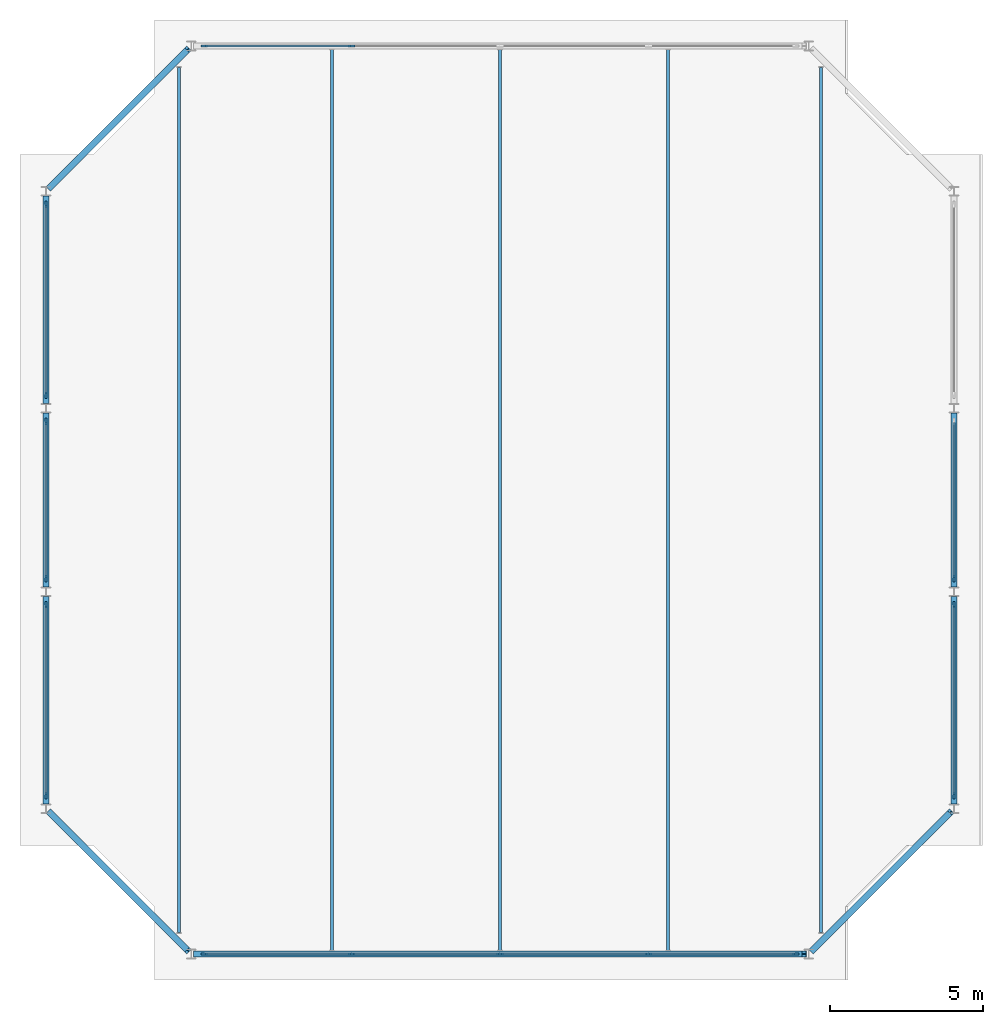
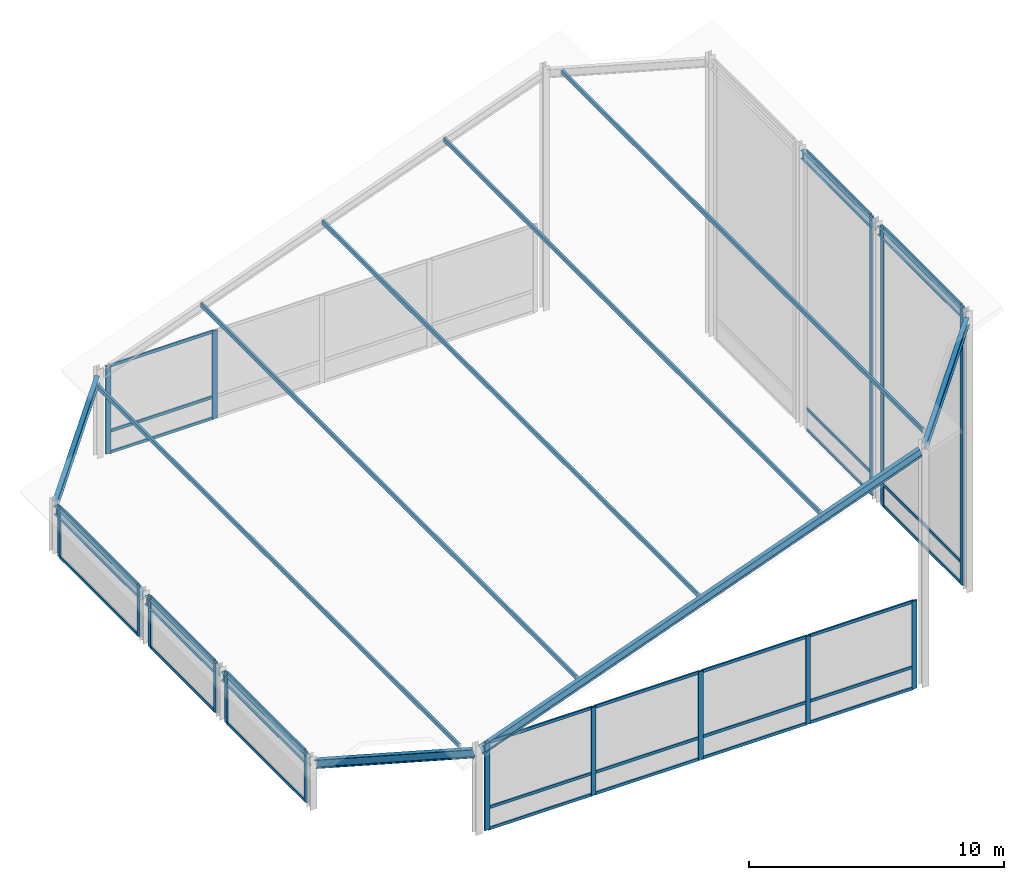
# One storey, part 3 of 8: 48 members, 9 beams, 7 elements without a shape of their own.
"""IFC4 building model written with IfcOpenShell, lengths in metres."""

import ifcopenshell
import ifcopenshell.guid

model = None  # the IFC model being written
_history = None  # IfcOwnerHistory: only IFC2X3 demands one
_inside = {}  # id of a spatial element -> (the spatial element, [elements in it])
_under = {}  # id of a project, library or spatial element -> (it, [spatial elements below it])
_declared = {}  # id of a project -> (the project, [libraries it declares])
_typed = {}  # id of a type object -> (the type object, [elements of that type])
_made_of = {}  # id of a material, layer set ... -> (it, [elements and type objects made of it])


def new_model(schema):
    """Start an empty IFC model of exactly this schema.

    Asked for "IFC4X3", IfcOpenShell would pick the latest addendum, in which some entities
    have other attributes; the version numbers below select the first issue.
    IFC2X3 requires an IfcOwnerHistory on every rooted entity: one is made here for all.
    """
    global model, _history
    if schema == "IFC4X3":
        model = ifcopenshell.file(schema_version=(4, 3, 0, 0))
    else:
        model = ifcopenshell.file(schema=schema)
    _inside.clear()
    _under.clear()
    _declared.clear()
    _typed.clear()
    _made_of.clear()
    _history = None
    if model.schema == "IFC2X3":
        org = make("IfcOrganization", Name="unknown")
        user = make(
            "IfcPersonAndOrganization",
            ThePerson=make("IfcPerson", FamilyName="unknown"),
            TheOrganization=org,
        )
        app = make(
            "IfcApplication",
            ApplicationDeveloper=org,
            Version="unknown",
            ApplicationFullName="unknown",
            ApplicationIdentifier="unknown",
        )
        _history = make(
            "IfcOwnerHistory",
            OwningUser=user,
            OwningApplication=app,
            ChangeAction="ADDED",
            CreationDate=0,
        )
    return model


def make(cls, **values):
    """One entity of the class cls with the attributes given. An attribute that is None is left unset."""
    return model.create_entity(
        cls, **{name: value for name, value in values.items() if value is not None}
    )


def rooted(cls, **values):
    """An entity with a GlobalId (a new one), such as an element, a storey or a relation."""
    return make(cls, GlobalId=ifcopenshell.guid.new(), OwnerHistory=_history, **values)


def si_unit(unit_type, name, prefix=None):
    """IfcSIUnit, for example si_unit("LENGTHUNIT", "METRE", prefix="MILLI")."""
    return make("IfcSIUnit", UnitType=unit_type, Prefix=prefix, Name=name)


def assignment(units):
    """IfcUnitAssignment: the units of a project."""
    return None if units is None else make("IfcUnitAssignment", Units=units)


def point(xyz):
    """IfcCartesianPoint."""
    return None if xyz is None else make("IfcCartesianPoint", Coordinates=xyz)


def direction(xyz):
    """IfcDirection."""
    return None if xyz is None else make("IfcDirection", DirectionRatios=xyz)


def frame(location, z_axis=None, x_axis=None):
    """IfcAxis2Placement3D, a coordinate frame: its origin and axes. An axis left out is left unset."""
    return make(
        "IfcAxis2Placement3D",
        Location=point(location),
        Axis=direction(z_axis),
        RefDirection=direction(x_axis),
    )


def frame_2d(location, x_axis=None):
    """IfcAxis2Placement2D, a coordinate frame in the plane: its origin and x axis."""
    return make(
        "IfcAxis2Placement2D", Location=point(location), RefDirection=direction(x_axis)
    )


def origin():
    """The frame at (0, 0, 0) with its axes left unset."""
    return frame((0.0, 0.0, 0.0))


def origin_2d():
    """The frame at (0, 0) in the plane with its x axis left unset."""
    return frame_2d((0.0, 0.0))


def place(relative_to, where):
    """IfcLocalPlacement: puts the frame where relative to a parent placement (None: the world)."""
    return make(
        "IfcLocalPlacement", PlacementRelTo=relative_to, RelativePlacement=where
    )


def context(
    kind, dimensions, precision=None, world=None, true_north=None, identifier=None
):
    """IfcGeometricRepresentationContext, for example the 3D "Model" context."""
    return make(
        "IfcGeometricRepresentationContext",
        ContextIdentifier=identifier,
        ContextType=kind,
        CoordinateSpaceDimension=dimensions,
        Precision=precision,
        WorldCoordinateSystem=world,
        TrueNorth=true_north,
    )


def subcontext(parent, identifier, kind, view, scale=None):
    """IfcGeometricRepresentationSubContext, for example "Body" below "Model"."""
    return make(
        "IfcGeometricRepresentationSubContext",
        ContextIdentifier=identifier,
        ContextType=kind,
        ParentContext=parent,
        TargetScale=scale,
        TargetView=view,
    )


def project(units=None, contexts=None):
    """IfcProject with its units and contexts."""
    return rooted(
        "IfcProject",
        Name="project",
        RepresentationContexts=contexts,
        UnitsInContext=assignment(units),
    )


def spatial(cls, under=None, at=None, **own):
    """A site, building, storey or space (cls), placed at a placement, below another one or the project."""
    s = rooted(cls, ObjectPlacement=at, **own)
    if under is not None:
        _under.setdefault(under.id(), (under, []))[1].append(s)
    return s


def profile(cls, at=None, kind="AREA", **sizes):
    """A parametric profile (cls). Its sizes go by their IFC names, for example OverallWidth=200.0."""
    return make(cls, ProfileType=kind, Position=at, **sizes)


def rectangle(**sizes):
    """IfcRectangleProfileDef."""
    return profile("IfcRectangleProfileDef", **sizes)


def hollow_rectangle(**sizes):
    """IfcRectangleHollowProfileDef."""
    return profile("IfcRectangleHollowProfileDef", **sizes)


def i_section(**sizes):
    """IfcIShapeProfileDef."""
    return profile("IfcIShapeProfileDef", **sizes)


def extrude(swept, where, along, depth):
    """IfcExtrudedAreaSolid: the profile swept, set in the frame where, extruded along a direction by depth."""
    return make(
        "IfcExtrudedAreaSolid",
        SweptArea=swept,
        Position=where,
        ExtrudedDirection=direction(along),
        Depth=depth,
    )


def shape(context_of_items, identifier, shape_type, items):
    """IfcShapeRepresentation: the items that make up one representation, for example the "Body"."""
    return make(
        "IfcShapeRepresentation",
        ContextOfItems=context_of_items,
        RepresentationIdentifier=identifier,
        RepresentationType=shape_type,
        Items=items,
    )


def source(mapping_origin, context_of_items, identifier, shape_type, items):
    """IfcRepresentationMap: a shape defined once, which mapped items show again and again."""
    return make(
        "IfcRepresentationMap",
        MappingOrigin=mapping_origin,
        MappedRepresentation=shape(context_of_items, identifier, shape_type, items),
    )


def transform(
    local_origin,
    x_axis=None,
    y_axis=None,
    z_axis=None,
    scale=None,
    scale2=None,
    scale3=None,
    uniform=True,
):
    """IfcCartesianTransformationOperator3D, or its non-uniform kind. x_axis, y_axis, z_axis: its Axis1, 2, 3."""
    if uniform:
        return make(
            "IfcCartesianTransformationOperator3D",
            Axis1=direction(x_axis),
            Axis2=direction(y_axis),
            LocalOrigin=point(local_origin),
            Scale=scale,
            Axis3=direction(z_axis),
        )
    return make(
        "IfcCartesianTransformationOperator3DnonUniform",
        Axis1=direction(x_axis),
        Axis2=direction(y_axis),
        LocalOrigin=point(local_origin),
        Scale=scale,
        Axis3=direction(z_axis),
        Scale2=scale2,
        Scale3=scale3,
    )


def mapped(mapping_source, mapping_target):
    """IfcMappedItem: shows the shape of a source again, moved by a transform."""
    return make(
        "IfcMappedItem", MappingSource=mapping_source, MappingTarget=mapping_target
    )


def material(Name=None, Category=None):
    """IfcMaterial."""
    return make("IfcMaterial", Name=Name, Category=Category)


def layer(
    of_material, thickness, ventilated=None, Name=None, Category=None, Priority=None
):
    """IfcMaterialLayer: one layer of a wall or slab, of a material (None: an air gap)."""
    return make(
        "IfcMaterialLayer",
        Material=of_material,
        LayerThickness=thickness,
        IsVentilated=ventilated,
        Name=Name,
        Category=Category,
        Priority=Priority,
    )


def layer_set(layers, Name=None):
    """IfcMaterialLayerSet."""
    return make("IfcMaterialLayerSet", MaterialLayers=layers, LayerSetName=Name)


def material_profile(
    of_material, cross_section, Name=None, Category=None, Priority=None
):
    """IfcMaterialProfile: a cross section and its material."""
    return make(
        "IfcMaterialProfile",
        Name=Name,
        Material=of_material,
        Profile=cross_section,
        Priority=Priority,
        Category=Category,
    )


def profile_set(profiles, Name=None, composite=None):
    """IfcMaterialProfileSet."""
    return make(
        "IfcMaterialProfileSet",
        Name=Name,
        MaterialProfiles=profiles,
        CompositeProfile=composite,
    )


def made_of(thing, what):
    """Note that an element or type object is made of a material, layer set ...; save() writes the relation."""
    if what is not None:
        _made_of.setdefault(what.id(), (what, []))[1].append(thing)
    return thing


def type_object(cls, material=None, **own):
    """A type object (cls), such as IfcWallType, which elements share."""
    return made_of(rooted(cls, **own), material)


def element(
    cls,
    number,
    at=None,
    inside=None,
    cuts=None,
    type_object=None,
    material=None,
    context=None,
    identifier="Body",
    shape_type=None,
    held_by="IfcProductDefinitionShape",
    body=None,
    shapes=None,
    **own,
):
    """One element of the class cls, such as IfcWall. Its Tag is "e" and its number.

    at: its placement. inside: the storey or other place that contains it. cuts: it is an
    opening in that element (IfcRelVoidsElement). A single representation is given by context,
    identifier, shape_type and body (its items); several are given by shapes. held_by: the class
    of the entity that holds the representations. save() writes the other relations.
    """
    e = rooted(cls, Tag="e%d" % number, ObjectPlacement=at, **own)
    if body is not None:
        shapes = [shape(context, identifier, shape_type, body)]
    if shapes is not None:
        e.Representation = make(held_by, Representations=shapes)
    if inside is not None:
        _inside.setdefault(inside.id(), (inside, []))[1].append(e)
    if cuts is not None:
        rooted(
            "IfcRelVoidsElement", RelatingBuildingElement=cuts, RelatedOpeningElement=e
        )
    if type_object is not None:
        _typed.setdefault(type_object.id(), (type_object, []))[1].append(e)
    return made_of(e, material)


def aggregate(whole, parts):
    """IfcRelAggregates: a whole, such as a stair, and the parts it consists of."""
    return rooted("IfcRelAggregates", RelatingObject=whole, RelatedObjects=parts)


def save(model, path):
    """Write the relations noted so far, then the file.

    IfcRelAggregates (storeys below a building ...), IfcRelContainedInSpatialStructure (elements
    in a storey), IfcRelDefinesByType, IfcRelAssociatesMaterial and IfcRelDeclares: one each for
    every whole, place, type object, material and project.
    """
    for whole, parts in _under.values():
        aggregate(whole, parts)
    for where, things in _inside.values():
        rooted(
            "IfcRelContainedInSpatialStructure",
            RelatedElements=things,
            RelatingStructure=where,
        )
    for kind, things in _typed.values():
        rooted("IfcRelDefinesByType", RelatedObjects=things, RelatingType=kind)
    for what, things in _made_of.values():
        rooted("IfcRelAssociatesMaterial", RelatedObjects=things, RelatingMaterial=what)
    for by, libraries in _declared.values():
        rooted("IfcRelDeclares", RelatingContext=by, RelatedDefinitions=libraries)
    model.write(path)


model = new_model("IFC4")

# Units and contexts
model_context = context("Model", 3, precision=1e-05, world=origin(), true_north=direction((0.0, 1.0)))
body_context = subcontext(model_context, "Body", "Model", "MODEL_VIEW")
ifc_project = project(units=[si_unit("LENGTHUNIT", "METRE"), si_unit("AREAUNIT", "SQUARE_METRE"), si_unit("VOLUMEUNIT", "CUBIC_METRE"), si_unit("PLANEANGLEUNIT", "RADIAN"), si_unit("MASSUNIT", "GRAM", prefix="KILO"), si_unit("THERMODYNAMICTEMPERATUREUNIT", "KELVIN"), si_unit("POWERUNIT", "WATT")], contexts=[model_context])

# Site, building, storey
site_placement = place(None, origin())
site = spatial("IfcSite", under=ifc_project, at=site_placement, CompositionType="ELEMENT")
building_placement = place(site_placement, origin())
building = spatial("IfcBuilding", under=site, at=building_placement, Name="Qiaomeng Ring Towers", CompositionType="ELEMENT")
storey_placement = place(building_placement, frame((0.0, 0.0, 267.75)))
storey = spatial("IfcBuildingStorey", under=building, at=storey_placement, Name="Roof", CompositionType="ELEMENT", Elevation=267.75)

# Beams
ifc_material_1 = material(Name="Steel Q355B", Category="steel")
ifc_material_profile_1 = material_profile(ifc_material_1, i_section(OverallWidth=0.199951171875, OverallDepth=0.39990234375, WebThickness=0.008056640625, FlangeThickness=0.012939453125, FilletRadius=0.01611328125, at=origin_2d()), Name="HN 400x200x8x13")
ifc_profile_set_1 = profile_set([ifc_material_profile_1], Name="Steel Q355B")
beam_type = type_object("IfcBeamType", Name="STR-BM-HN400", PredefinedType="SPANDREL", material=ifc_profile_set_1)
shared_shape_1 = source(origin(), body_context, "Body", "SweptSolid", [
    extrude(i_section(OverallWidth=0.199951171875, OverallDepth=0.39990234375, WebThickness=0.008056640625, FlangeThickness=0.012939453125, FilletRadius=0.01611328125, at=origin_2d()), origin(), (0.0, 0.0, 1.0), 21.2041015625),
])
beam_placement = place(storey_placement, frame((9.050048828125, 8.14990234375, 3.905517578125), z_axis=(0.938492428183, 0.0, 0.345299815007), x_axis=(0.0, 1.0, 0.0)))
element("IfcBeam", 1, at=beam_placement, inside=storey, type_object=beam_type, Name="Crown Slanted Cap Beam 1", PredefinedType="SPANDREL", context=body_context, shape_type="MappedRepresentation", body=[
    mapped(shared_shape_1, transform((0.0, 0.0, 0.0), x_axis=(1.0, 0.0, 0.0), y_axis=(0.0, 1.0, 0.0), z_axis=(0.0, 0.0, 1.0), scale=1.0)),
])
shared_shape_2 = source(origin(), body_context, "Body", "SweptSolid", [
    extrude(i_section(OverallWidth=0.199951171875, OverallDepth=0.39990234375, WebThickness=0.008056640625, FlangeThickness=0.012939453125, FilletRadius=0.01611328125, at=origin_2d()), origin(), (0.0, 0.0, 1.0), 6.631103515625),
])
for number, where, z_axis, x_axis, name in (
    (2, (29.2060546875, 8.256103515625, 11.321533203125), (0.684324409038, 0.684324409038, 0.251793976081), (-0.707106781187, 0.707106781187, 0.0), "Crown Slanted Cap Beam 2"),
    (3, (8.7939453125, 37.743896484375, 3.811279296875), (-0.684330752617, -0.684330752617, -0.251759492462), (0.707106781187, -0.707106781187, 0.0), "Crown Slanted Cap Beam 8"),
    (4, (4.256103515625, 12.7939453125, 2.141845703125), (0.684330752617, -0.684330752617, 0.251759492462), (0.707106781187, 0.707106781187, 0.0), "Crown Slanted Cap Beam 12"),
):
    element("IfcBeam", number, at=place(storey_placement, frame(where, z_axis=z_axis, x_axis=x_axis)), inside=storey, type_object=beam_type, Name=name, PredefinedType="SPANDREL", context=body_context, shape_type="MappedRepresentation", body=[
        mapped(shared_shape_2, transform((0.0, 0.0, 0.0), x_axis=(1.0, 0.0, 0.0), y_axis=(0.0, 1.0, 0.0), z_axis=(0.0, 0.0, 1.0), scale=1.0)),
    ])
shared_shape_3 = source(origin(), body_context, "Body", "SweptSolid", [
    extrude(i_section(OverallWidth=0.199951171875, OverallDepth=0.39990234375, WebThickness=0.008056640625, FlangeThickness=0.012939453125, FilletRadius=0.01611328125, at=origin_2d()), origin(), (0.0, 0.0, 1.0), 6.800048828125),
])
for number, where, z_axis, x_axis, name in (
    (5, (33.85009765625, 13.050048828125, 13.0302734375), (0.0, 1.0, 0.0), (-1.0, 0.0, 0.0), "Crown Slanted Cap Beam 3"),
    (6, (4.14990234375, 32.949951171875, 2.102783203125), (0.0, -1.0, 0.0), (1.0, 0.0, 0.0), "Crown Slanted Cap Beam 9"),
    (7, (4.14990234375, 19.85009765625, 2.102783203125), (0.0, -1.0, 0.0), (1.0, 0.0, 0.0), "Crown Slanted Cap Beam 11"),
):
    element("IfcBeam", number, at=place(storey_placement, frame(where, z_axis=z_axis, x_axis=x_axis)), inside=storey, type_object=beam_type, Name=name, PredefinedType="SPANDREL", context=body_context, shape_type="MappedRepresentation", body=[
        mapped(shared_shape_3, transform((0.0, 0.0, 0.0), x_axis=(1.0, 0.0, 0.0), y_axis=(0.0, 1.0, 0.0), z_axis=(0.0, 0.0, 1.0), scale=1.0)),
    ])
shared_shape_4 = source(origin(), body_context, "Body", "SweptSolid", [
    extrude(i_section(OverallWidth=0.199951171875, OverallDepth=0.39990234375, WebThickness=0.008056640625, FlangeThickness=0.012939453125, FilletRadius=0.01611328125, at=origin_2d()), origin(), (0.0, 0.0, 1.0), 5.7001953125),
])
for number, where, z_axis, x_axis, name in (
    (8, (33.85009765625, 20.14990234375, 13.0302734375), (0.0, 1.0, 0.0), (-1.0, 0.0, 0.0), "Crown Slanted Cap Beam 4"),
    (9, (4.14990234375, 25.85009765625, 2.102783203125), (0.0, -1.0, 0.0), (1.0, 0.0, 0.0), "Crown Slanted Cap Beam 10"),
):
    element("IfcBeam", number, at=place(storey_placement, frame(where, z_axis=z_axis, x_axis=x_axis)), inside=storey, type_object=beam_type, Name=name, PredefinedType="SPANDREL", context=body_context, shape_type="MappedRepresentation", body=[
        mapped(shared_shape_4, transform((0.0, 0.0, 0.0), x_axis=(1.0, 0.0, 0.0), y_axis=(0.0, 1.0, 0.0), z_axis=(0.0, 0.0, 1.0), scale=1.0)),
    ])

# Members
ifc_material_profile_2 = material_profile(ifc_material_1, hollow_rectangle(XDim=0.10009765625, YDim=0.199951171875, WallThickness=0.008056640625, at=origin_2d()), Name="RHS 200x100x8")
ifc_profile_set_2 = profile_set([ifc_material_profile_2], Name="Steel Q355B")
member_type_1 = type_object("IfcMemberType", Name="STR-MB-PURLIN-200", PredefinedType="PURLIN", material=ifc_profile_set_2)
shared_shape_5 = source(origin(), body_context, "Body", "SweptSolid", [
    extrude(hollow_rectangle(XDim=0.10009765625, YDim=0.199951171875, WallThickness=0.008056640625, at=origin_2d()), origin(), (0.0, 0.0, 1.0), 28.2998046875),
])
for number, where, z_axis, x_axis, name in (
    (10, (8.5, 8.85009765625, 3.88330078125), (0.0, 1.0, 0.0), (-1.0, 0.0, 0.0), "Crown Slanted Roof Purlin PR1-1"),
    (11, (29.5, 8.85009765625, 11.609619140625), (0.0, 1.0, 0.0), (-1.0, 0.0, 0.0), "Crown Slanted Roof Purlin PR1-5"),
):
    element("IfcMember", number, at=place(storey_placement, frame(where, z_axis=z_axis, x_axis=x_axis)), inside=storey, type_object=member_type_1, Name=name, PredefinedType="PURLIN", context=body_context, shape_type="MappedRepresentation", body=[
        mapped(shared_shape_5, transform((0.0, 0.0, 0.0), x_axis=(1.0, 0.0, 0.0), y_axis=(0.0, 1.0, 0.0), z_axis=(0.0, 0.0, 1.0), scale=1.0)),
    ])
shared_shape_6 = source(origin(), body_context, "Body", "SweptSolid", [
    extrude(hollow_rectangle(XDim=0.10009765625, YDim=0.199951171875, WallThickness=0.008056640625, at=origin_2d()), origin(), (0.0, 0.0, 1.0), 29.4599609375),
])
for number, where, z_axis, x_axis, name in (
    (12, (13.5, 8.27001953125, 5.722900390625), (0.0, 1.0, 0.0), (-1.0, 0.0, 0.0), "Crown Slanted Roof Purlin PR1-2"),
    (13, (19.0, 8.27001953125, 7.74658203125), (0.0, 1.0, 0.0), (-1.0, 0.0, 0.0), "Crown Slanted Roof Purlin PR1-3"),
    (14, (24.5, 8.27001953125, 9.77001953125), (0.0, 1.0, 0.0), (-1.0, 0.0, 0.0), "Crown Slanted Roof Purlin PR1-4"),
):
    element("IfcMember", number, at=place(storey_placement, frame(where, z_axis=z_axis, x_axis=x_axis)), inside=storey, type_object=member_type_1, Name=name, PredefinedType="PURLIN", context=body_context, shape_type="MappedRepresentation", body=[
        mapped(shared_shape_6, transform((0.0, 0.0, 0.0), x_axis=(1.0, 0.0, 0.0), y_axis=(0.0, 1.0, 0.0), z_axis=(0.0, 0.0, 1.0), scale=1.0)),
    ])

# Curtain wall, members
ifc_material_2 = material(Name="Fluorocarbon dark-grey aluminium", Category="aluminium")
ifc_layer = layer(ifc_material_2, 0.169921875, Name="Fluorocarbon dark-grey aluminium")
ifc_layer_set = layer_set([ifc_layer], Name="Fluorocarbon dark-grey aluminium")
curtain_wall_type = type_object("IfcCurtainWallType", Name="ARC-CW-6", PredefinedType="NOTDEFINED", material=ifc_layer_set)
curtain_wall_1_placement = place(storey_placement, origin())
curtain_wall_1 = element("IfcCurtainWall", 15, at=curtain_wall_1_placement, inside=storey, type_object=curtain_wall_type, Name="Roof Curtain Wall CW6", PredefinedType="NOTDEFINED")
ifc_material_profile_3 = material_profile(ifc_material_2, rectangle(XDim=0.070068359375, YDim=0.139892578125, at=origin_2d()), Name="ALU TRAN 70x140")
ifc_profile_set_3 = profile_set([ifc_material_profile_3], Name="Fluorocarbon dark-grey aluminium")
member_type_2 = type_object("IfcMemberType", Name="ARC-CWT-140", PredefinedType="USERDEFINED", material=ifc_profile_set_3)
shared_shape_7 = source(origin(), body_context, "Body", "SweptSolid", [
    extrude(rectangle(XDim=0.070068359375, YDim=0.139892578125, at=origin_2d()), origin(), (0.0, 0.0, 1.0), 5.06005859375),
])
member_1_placement = place(storey_placement, frame((33.85009765625, 20.469970703125, 0.034912109375), z_axis=(0.0, 1.0, 0.0), x_axis=(-1.0, 0.0, 0.0)))
member_1 = element("IfcMember", 16, at=member_1_placement, type_object=member_type_2, Name="CW6 transom 1.1", ObjectType="TRANSOM", PredefinedType="USERDEFINED", context=body_context, shape_type="MappedRepresentation", body=[
    mapped(shared_shape_7, transform((0.0, 0.0, 0.0), x_axis=(1.0, 0.0, 0.0), y_axis=(0.0, 1.0, 0.0), z_axis=(0.0, 0.0, 1.0), scale=1.0)),
])
member_2_placement = place(storey_placement, frame((33.85009765625, 20.469970703125, 1.050048828125), z_axis=(0.0, 1.0, 0.0), x_axis=(-1.0, 0.0, 0.0)))
member_2 = element("IfcMember", 17, at=member_2_placement, type_object=member_type_2, Name="CW6 transom 1.2", ObjectType="TRANSOM", PredefinedType="USERDEFINED", context=body_context, shape_type="MappedRepresentation", body=[
    mapped(shared_shape_7, transform((0.0, 0.0, 0.0), x_axis=(1.0, 0.0, 0.0), y_axis=(0.0, 1.0, 0.0), z_axis=(0.0, 0.0, 1.0), scale=1.0)),
])
member_3_placement = place(storey_placement, frame((33.85009765625, 20.469970703125, 13.355224609375), z_axis=(0.0, 1.0, 0.0), x_axis=(-1.0, 0.0, 0.0)))
member_3 = element("IfcMember", 18, at=member_3_placement, type_object=member_type_2, Name="CW6 transom 1.3", ObjectType="TRANSOM", PredefinedType="USERDEFINED", context=body_context, shape_type="MappedRepresentation", body=[
    mapped(shared_shape_7, transform((0.0, 0.0, 0.0), x_axis=(1.0, 0.0, 0.0), y_axis=(0.0, 1.0, 0.0), z_axis=(0.0, 0.0, 1.0), scale=1.0)),
])

curtain_wall_2_placement = place(storey_placement, origin())
curtain_wall_2 = element("IfcCurtainWall", 19, at=curtain_wall_2_placement, inside=storey, type_object=curtain_wall_type, Name="Roof Curtain Wall CW6", PredefinedType="NOTDEFINED")
member_4_placement = place(storey_placement, frame((4.14990234375, 25.530029296875, 0.034912109375), z_axis=(0.0, -1.0, 0.0), x_axis=(1.0, 0.0, 0.0)))
member_4 = element("IfcMember", 20, at=member_4_placement, type_object=member_type_2, Name="CW6 transom 1.1", ObjectType="TRANSOM", PredefinedType="USERDEFINED", context=body_context, shape_type="MappedRepresentation", body=[
    mapped(shared_shape_7, transform((0.0, 0.0, 0.0), x_axis=(1.0, 0.0, 0.0), y_axis=(0.0, 1.0, 0.0), z_axis=(0.0, 0.0, 1.0), scale=1.0)),
])
member_5_placement = place(storey_placement, frame((4.14990234375, 25.530029296875, 2.427734375), z_axis=(0.0, -1.0, 0.0), x_axis=(1.0, 0.0, 0.0)))
member_5 = element("IfcMember", 21, at=member_5_placement, type_object=member_type_2, Name="CW6 transom 1.2", ObjectType="TRANSOM", PredefinedType="USERDEFINED", context=body_context, shape_type="MappedRepresentation", body=[
    mapped(shared_shape_7, transform((0.0, 0.0, 0.0), x_axis=(1.0, 0.0, 0.0), y_axis=(0.0, 1.0, 0.0), z_axis=(0.0, 0.0, 1.0), scale=1.0)),
])

curtain_wall_3_placement = place(storey_placement, origin())
curtain_wall_3 = element("IfcCurtainWall", 22, at=curtain_wall_3_placement, inside=storey, type_object=curtain_wall_type, Name="Roof Curtain Wall CW6", PredefinedType="NOTDEFINED")
ifc_material_profile_4 = material_profile(ifc_material_2, rectangle(XDim=0.080078125, YDim=0.219970703125, at=origin_2d()), Name="ALU MULL 80x220")
ifc_profile_set_4 = profile_set([ifc_material_profile_4], Name="Fluorocarbon dark-grey aluminium")
member_type_3 = type_object("IfcMemberType", Name="ARC-CWM-180", PredefinedType="MULLION", material=ifc_profile_set_4)
shared_shape_8 = source(origin(), body_context, "Body", "SweptSolid", [
    extrude(rectangle(XDim=0.080078125, YDim=0.219970703125, at=origin_2d()), origin(), (0.0, 0.0, 1.0), 4.21044921875),
])
member_6_placement = place(storey_placement, frame((9.330078125, 8.14990234375, 0.0), z_axis=(0.0, 0.0, 1.0), x_axis=(0.0, 1.0, 0.0)))
member_6 = element("IfcMember", 23, at=member_6_placement, type_object=member_type_3, Name="CW6 mullion 1", PredefinedType="MULLION", context=body_context, shape_type="MappedRepresentation", body=[
    mapped(shared_shape_8, transform((0.0, 0.0, 0.0), x_axis=(1.0, 0.0, 0.0), y_axis=(0.0, 1.0, 0.0), z_axis=(0.0, 0.0, 1.0), scale=1.0)),
])
member_7_placement = place(storey_placement, frame((14.14501953125, 8.14990234375, 0.0), z_axis=(0.0, 0.0, 1.0), x_axis=(0.0, 1.0, 0.0)))
member_7 = element("IfcMember", 24, at=member_7_placement, type_object=member_type_3, Name="CW6 mullion 2", PredefinedType="MULLION", context=body_context, shape_type="MappedRepresentation", body=[
    mapped(shared_shape_8, transform((0.0, 0.0, 0.0), x_axis=(1.0, 0.0, 0.0), y_axis=(0.0, 1.0, 0.0), z_axis=(0.0, 0.0, 1.0), scale=1.0)),
])
member_8_placement = place(storey_placement, frame((19.0, 8.14990234375, 0.0), z_axis=(0.0, 0.0, 1.0), x_axis=(0.0, 1.0, 0.0)))
member_8 = element("IfcMember", 25, at=member_8_placement, type_object=member_type_3, Name="CW6 mullion 3", PredefinedType="MULLION", context=body_context, shape_type="MappedRepresentation", body=[
    mapped(shared_shape_8, transform((0.0, 0.0, 0.0), x_axis=(1.0, 0.0, 0.0), y_axis=(0.0, 1.0, 0.0), z_axis=(0.0, 0.0, 1.0), scale=1.0)),
])
member_9_placement = place(storey_placement, frame((23.85498046875, 8.14990234375, 0.0), z_axis=(0.0, 0.0, 1.0), x_axis=(0.0, 1.0, 0.0)))
member_9 = element("IfcMember", 26, at=member_9_placement, type_object=member_type_3, Name="CW6 mullion 4", PredefinedType="MULLION", context=body_context, shape_type="MappedRepresentation", body=[
    mapped(shared_shape_8, transform((0.0, 0.0, 0.0), x_axis=(1.0, 0.0, 0.0), y_axis=(0.0, 1.0, 0.0), z_axis=(0.0, 0.0, 1.0), scale=1.0)),
])
member_10_placement = place(storey_placement, frame((28.669921875, 8.14990234375, 0.0), z_axis=(0.0, 0.0, 1.0), x_axis=(0.0, 1.0, 0.0)))
member_10 = element("IfcMember", 27, at=member_10_placement, type_object=member_type_3, Name="CW6 mullion 5", PredefinedType="MULLION", context=body_context, shape_type="MappedRepresentation", body=[
    mapped(shared_shape_8, transform((0.0, 0.0, 0.0), x_axis=(1.0, 0.0, 0.0), y_axis=(0.0, 1.0, 0.0), z_axis=(0.0, 0.0, 1.0), scale=1.0)),
])

curtain_wall_4_placement = place(storey_placement, origin())
curtain_wall_4 = element("IfcCurtainWall", 28, at=curtain_wall_4_placement, inside=storey, type_object=curtain_wall_type, Name="Roof Curtain Wall CW6", PredefinedType="NOTDEFINED")
member_11_placement = place(storey_placement, frame((14.14501953125, 37.85009765625, 0.0), z_axis=(0.0, 0.0, 1.0), x_axis=(0.0, -1.0, 0.0)))
member_11 = element("IfcMember", 29, at=member_11_placement, type_object=member_type_3, Name="CW6 mullion 4", PredefinedType="MULLION", context=body_context, shape_type="MappedRepresentation", body=[
    mapped(shared_shape_8, transform((0.0, 0.0, 0.0), x_axis=(1.0, 0.0, 0.0), y_axis=(0.0, 1.0, 0.0), z_axis=(0.0, 0.0, 1.0), scale=1.0)),
])
member_12_placement = place(storey_placement, frame((9.330078125, 37.85009765625, 0.0), z_axis=(0.0, 0.0, 1.0), x_axis=(0.0, -1.0, 0.0)))
member_12 = element("IfcMember", 30, at=member_12_placement, type_object=member_type_3, Name="CW6 mullion 5", PredefinedType="MULLION", context=body_context, shape_type="MappedRepresentation", body=[
    mapped(shared_shape_8, transform((0.0, 0.0, 0.0), x_axis=(1.0, 0.0, 0.0), y_axis=(0.0, 1.0, 0.0), z_axis=(0.0, 0.0, 1.0), scale=1.0)),
])

# Member
shared_shape_9 = source(origin(), body_context, "Body", "SweptSolid", [
    extrude(rectangle(XDim=0.070068359375, YDim=0.139892578125, at=origin_2d()), origin(), (0.0, 0.0, 1.0), 4.73486328125),
])
member_13_placement = place(storey_placement, frame((9.3701171875, 8.14990234375, 0.034912109375), z_axis=(1.0, 0.0, 0.0), x_axis=(0.0, 1.0, 0.0)))
member_13 = element("IfcMember", 31, at=member_13_placement, type_object=member_type_2, Name="CW6 transom 1.1", ObjectType="TRANSOM", PredefinedType="USERDEFINED", context=body_context, shape_type="MappedRepresentation", body=[
    mapped(shared_shape_9, transform((0.0, 0.0, 0.0), x_axis=(1.0, 0.0, 0.0), y_axis=(0.0, 1.0, 0.0), z_axis=(0.0, 0.0, 1.0), scale=1.0)),
])

member_14_placement = place(storey_placement, frame((9.3701171875, 8.14990234375, 1.050048828125), z_axis=(1.0, 0.0, 0.0), x_axis=(0.0, 1.0, 0.0)))
member_14 = element("IfcMember", 32, at=member_14_placement, type_object=member_type_2, Name="CW6 transom 1.2", ObjectType="TRANSOM", PredefinedType="USERDEFINED", context=body_context, shape_type="MappedRepresentation", body=[
    mapped(shared_shape_9, transform((0.0, 0.0, 0.0), x_axis=(1.0, 0.0, 0.0), y_axis=(0.0, 1.0, 0.0), z_axis=(0.0, 0.0, 1.0), scale=1.0)),
])

member_15_placement = place(storey_placement, frame((9.3701171875, 8.14990234375, 4.17529296875), z_axis=(1.0, 0.0, 0.0), x_axis=(0.0, 1.0, 0.0)))
member_15 = element("IfcMember", 33, at=member_15_placement, type_object=member_type_2, Name="CW6 transom 1.3", ObjectType="TRANSOM", PredefinedType="USERDEFINED", context=body_context, shape_type="MappedRepresentation", body=[
    mapped(shared_shape_9, transform((0.0, 0.0, 0.0), x_axis=(1.0, 0.0, 0.0), y_axis=(0.0, 1.0, 0.0), z_axis=(0.0, 0.0, 1.0), scale=1.0)),
])

member_16_placement = place(storey_placement, frame((23.89501953125, 8.14990234375, 0.034912109375), z_axis=(1.0, 0.0, 0.0), x_axis=(0.0, 1.0, 0.0)))
member_16 = element("IfcMember", 34, at=member_16_placement, type_object=member_type_2, Name="CW6 transom 4.1", ObjectType="TRANSOM", PredefinedType="USERDEFINED", context=body_context, shape_type="MappedRepresentation", body=[
    mapped(shared_shape_9, transform((0.0, 0.0, 0.0), x_axis=(1.0, 0.0, 0.0), y_axis=(0.0, 1.0, 0.0), z_axis=(0.0, 0.0, 1.0), scale=1.0)),
])

member_17_placement = place(storey_placement, frame((23.89501953125, 8.14990234375, 1.050048828125), z_axis=(1.0, 0.0, 0.0), x_axis=(0.0, 1.0, 0.0)))
member_17 = element("IfcMember", 35, at=member_17_placement, type_object=member_type_2, Name="CW6 transom 4.2", ObjectType="TRANSOM", PredefinedType="USERDEFINED", context=body_context, shape_type="MappedRepresentation", body=[
    mapped(shared_shape_9, transform((0.0, 0.0, 0.0), x_axis=(1.0, 0.0, 0.0), y_axis=(0.0, 1.0, 0.0), z_axis=(0.0, 0.0, 1.0), scale=1.0)),
])

member_18_placement = place(storey_placement, frame((23.89501953125, 8.14990234375, 4.17529296875), z_axis=(1.0, 0.0, 0.0), x_axis=(0.0, 1.0, 0.0)))
member_18 = element("IfcMember", 36, at=member_18_placement, type_object=member_type_2, Name="CW6 transom 4.3", ObjectType="TRANSOM", PredefinedType="USERDEFINED", context=body_context, shape_type="MappedRepresentation", body=[
    mapped(shared_shape_9, transform((0.0, 0.0, 0.0), x_axis=(1.0, 0.0, 0.0), y_axis=(0.0, 1.0, 0.0), z_axis=(0.0, 0.0, 1.0), scale=1.0)),
])

member_19_placement = place(storey_placement, frame((14.10498046875, 37.85009765625, 0.034912109375), z_axis=(-1.0, 0.0, 0.0), x_axis=(0.0, -1.0, 0.0)))
member_19 = element("IfcMember", 37, at=member_19_placement, type_object=member_type_2, Name="CW6 transom 4.1", ObjectType="TRANSOM", PredefinedType="USERDEFINED", context=body_context, shape_type="MappedRepresentation", body=[
    mapped(shared_shape_9, transform((0.0, 0.0, 0.0), x_axis=(1.0, 0.0, 0.0), y_axis=(0.0, 1.0, 0.0), z_axis=(0.0, 0.0, 1.0), scale=1.0)),
])

member_20_placement = place(storey_placement, frame((14.10498046875, 37.85009765625, 1.050048828125), z_axis=(-1.0, 0.0, 0.0), x_axis=(0.0, -1.0, 0.0)))
member_20 = element("IfcMember", 38, at=member_20_placement, type_object=member_type_2, Name="CW6 transom 4.2", ObjectType="TRANSOM", PredefinedType="USERDEFINED", context=body_context, shape_type="MappedRepresentation", body=[
    mapped(shared_shape_9, transform((0.0, 0.0, 0.0), x_axis=(1.0, 0.0, 0.0), y_axis=(0.0, 1.0, 0.0), z_axis=(0.0, 0.0, 1.0), scale=1.0)),
])

member_21_placement = place(storey_placement, frame((14.10498046875, 37.85009765625, 4.17529296875), z_axis=(-1.0, 0.0, 0.0), x_axis=(0.0, -1.0, 0.0)))
member_21 = element("IfcMember", 39, at=member_21_placement, type_object=member_type_2, Name="CW6 transom 4.3", ObjectType="TRANSOM", PredefinedType="USERDEFINED", context=body_context, shape_type="MappedRepresentation", body=[
    mapped(shared_shape_9, transform((0.0, 0.0, 0.0), x_axis=(1.0, 0.0, 0.0), y_axis=(0.0, 1.0, 0.0), z_axis=(0.0, 0.0, 1.0), scale=1.0)),
])

aggregate(curtain_wall_4, [member_11, member_12, member_19, member_20, member_21])

shared_shape_10 = source(origin(), body_context, "Body", "SweptSolid", [
    extrude(rectangle(XDim=0.070068359375, YDim=0.139892578125, at=origin_2d()), origin(), (0.0, 0.0, 1.0), 4.77490234375),
])
member_22_placement = place(storey_placement, frame((14.18505859375, 8.14990234375, 0.034912109375), z_axis=(1.0, 0.0, 0.0), x_axis=(0.0, 1.0, 0.0)))
member_22 = element("IfcMember", 40, at=member_22_placement, type_object=member_type_2, Name="CW6 transom 2.1", ObjectType="TRANSOM", PredefinedType="USERDEFINED", context=body_context, shape_type="MappedRepresentation", body=[
    mapped(shared_shape_10, transform((0.0, 0.0, 0.0), x_axis=(1.0, 0.0, 0.0), y_axis=(0.0, 1.0, 0.0), z_axis=(0.0, 0.0, 1.0), scale=1.0)),
])

member_23_placement = place(storey_placement, frame((14.18505859375, 8.14990234375, 1.050048828125), z_axis=(1.0, 0.0, 0.0), x_axis=(0.0, 1.0, 0.0)))
member_23 = element("IfcMember", 41, at=member_23_placement, type_object=member_type_2, Name="CW6 transom 2.2", ObjectType="TRANSOM", PredefinedType="USERDEFINED", context=body_context, shape_type="MappedRepresentation", body=[
    mapped(shared_shape_10, transform((0.0, 0.0, 0.0), x_axis=(1.0, 0.0, 0.0), y_axis=(0.0, 1.0, 0.0), z_axis=(0.0, 0.0, 1.0), scale=1.0)),
])

member_24_placement = place(storey_placement, frame((14.18505859375, 8.14990234375, 4.17529296875), z_axis=(1.0, 0.0, 0.0), x_axis=(0.0, 1.0, 0.0)))
member_24 = element("IfcMember", 42, at=member_24_placement, type_object=member_type_2, Name="CW6 transom 2.3", ObjectType="TRANSOM", PredefinedType="USERDEFINED", context=body_context, shape_type="MappedRepresentation", body=[
    mapped(shared_shape_10, transform((0.0, 0.0, 0.0), x_axis=(1.0, 0.0, 0.0), y_axis=(0.0, 1.0, 0.0), z_axis=(0.0, 0.0, 1.0), scale=1.0)),
])

member_25_placement = place(storey_placement, frame((19.0400390625, 8.14990234375, 0.034912109375), z_axis=(1.0, 0.0, 0.0), x_axis=(0.0, 1.0, 0.0)))
member_25 = element("IfcMember", 43, at=member_25_placement, type_object=member_type_2, Name="CW6 transom 3.1", ObjectType="TRANSOM", PredefinedType="USERDEFINED", context=body_context, shape_type="MappedRepresentation", body=[
    mapped(shared_shape_10, transform((0.0, 0.0, 0.0), x_axis=(1.0, 0.0, 0.0), y_axis=(0.0, 1.0, 0.0), z_axis=(0.0, 0.0, 1.0), scale=1.0)),
])

member_26_placement = place(storey_placement, frame((19.0400390625, 8.14990234375, 1.050048828125), z_axis=(1.0, 0.0, 0.0), x_axis=(0.0, 1.0, 0.0)))
member_26 = element("IfcMember", 44, at=member_26_placement, type_object=member_type_2, Name="CW6 transom 3.2", ObjectType="TRANSOM", PredefinedType="USERDEFINED", context=body_context, shape_type="MappedRepresentation", body=[
    mapped(shared_shape_10, transform((0.0, 0.0, 0.0), x_axis=(1.0, 0.0, 0.0), y_axis=(0.0, 1.0, 0.0), z_axis=(0.0, 0.0, 1.0), scale=1.0)),
])

member_27_placement = place(storey_placement, frame((19.0400390625, 8.14990234375, 4.17529296875), z_axis=(1.0, 0.0, 0.0), x_axis=(0.0, 1.0, 0.0)))
member_27 = element("IfcMember", 45, at=member_27_placement, type_object=member_type_2, Name="CW6 transom 3.3", ObjectType="TRANSOM", PredefinedType="USERDEFINED", context=body_context, shape_type="MappedRepresentation", body=[
    mapped(shared_shape_10, transform((0.0, 0.0, 0.0), x_axis=(1.0, 0.0, 0.0), y_axis=(0.0, 1.0, 0.0), z_axis=(0.0, 0.0, 1.0), scale=1.0)),
])

aggregate(curtain_wall_3, [member_6, member_7, member_8, member_9, member_10, member_13, member_14, member_15, member_22, member_23, member_24, member_25, member_26, member_27, member_16, member_17, member_18])

# Curtain wall, members
curtain_wall_5_placement = place(storey_placement, origin())
curtain_wall_5 = element("IfcCurtainWall", 46, at=curtain_wall_5_placement, inside=storey, type_object=curtain_wall_type, Name="Roof Curtain Wall CW6", PredefinedType="NOTDEFINED")
shared_shape_11 = source(origin(), body_context, "Body", "SweptSolid", [
    extrude(rectangle(XDim=0.080078125, YDim=0.219970703125, at=origin_2d()), origin(), (0.0, 0.0, 1.0), 13.39013671875),
])
member_28_placement = place(storey_placement, frame((33.85009765625, 13.330078125, 0.0), z_axis=(0.0, 0.0, 1.0), x_axis=(-1.0, 0.0, 0.0)))
member_28 = element("IfcMember", 47, at=member_28_placement, type_object=member_type_3, Name="CW6 mullion 1", PredefinedType="MULLION", context=body_context, shape_type="MappedRepresentation", body=[
    mapped(shared_shape_11, transform((0.0, 0.0, 0.0), x_axis=(1.0, 0.0, 0.0), y_axis=(0.0, 1.0, 0.0), z_axis=(0.0, 0.0, 1.0), scale=1.0)),
])
member_29_placement = place(storey_placement, frame((33.85009765625, 19.570068359375, 0.0), z_axis=(0.0, 0.0, 1.0), x_axis=(-1.0, 0.0, 0.0)))
member_29 = element("IfcMember", 48, at=member_29_placement, type_object=member_type_3, Name="CW6 mullion 2", PredefinedType="MULLION", context=body_context, shape_type="MappedRepresentation", body=[
    mapped(shared_shape_11, transform((0.0, 0.0, 0.0), x_axis=(1.0, 0.0, 0.0), y_axis=(0.0, 1.0, 0.0), z_axis=(0.0, 0.0, 1.0), scale=1.0)),
])

# Member
member_30_placement = place(storey_placement, frame((33.85009765625, 20.429931640625, 0.0), z_axis=(0.0, 0.0, 1.0), x_axis=(-1.0, 0.0, 0.0)))
member_30 = element("IfcMember", 49, at=member_30_placement, type_object=member_type_3, Name="CW6 mullion 1", PredefinedType="MULLION", context=body_context, shape_type="MappedRepresentation", body=[
    mapped(shared_shape_11, transform((0.0, 0.0, 0.0), x_axis=(1.0, 0.0, 0.0), y_axis=(0.0, 1.0, 0.0), z_axis=(0.0, 0.0, 1.0), scale=1.0)),
])

aggregate(curtain_wall_1, [member_30, member_1, member_2, member_3])

shared_shape_12 = source(origin(), body_context, "Body", "SweptSolid", [
    extrude(rectangle(XDim=0.070068359375, YDim=0.139892578125, at=origin_2d()), origin(), (0.0, 0.0, 1.0), 6.159912109375),
])
member_31_placement = place(storey_placement, frame((33.85009765625, 13.3701171875, 0.034912109375), z_axis=(0.0, 1.0, 0.0), x_axis=(-1.0, 0.0, 0.0)))
member_31 = element("IfcMember", 50, at=member_31_placement, type_object=member_type_2, Name="CW6 transom 1.1", ObjectType="TRANSOM", PredefinedType="USERDEFINED", context=body_context, shape_type="MappedRepresentation", body=[
    mapped(shared_shape_12, transform((0.0, 0.0, 0.0), x_axis=(1.0, 0.0, 0.0), y_axis=(0.0, 1.0, 0.0), z_axis=(0.0, 0.0, 1.0), scale=1.0)),
])

member_32_placement = place(storey_placement, frame((33.85009765625, 13.3701171875, 1.050048828125), z_axis=(0.0, 1.0, 0.0), x_axis=(-1.0, 0.0, 0.0)))
member_32 = element("IfcMember", 51, at=member_32_placement, type_object=member_type_2, Name="CW6 transom 1.2", ObjectType="TRANSOM", PredefinedType="USERDEFINED", context=body_context, shape_type="MappedRepresentation", body=[
    mapped(shared_shape_12, transform((0.0, 0.0, 0.0), x_axis=(1.0, 0.0, 0.0), y_axis=(0.0, 1.0, 0.0), z_axis=(0.0, 0.0, 1.0), scale=1.0)),
])

member_33_placement = place(storey_placement, frame((33.85009765625, 13.3701171875, 13.355224609375), z_axis=(0.0, 1.0, 0.0), x_axis=(-1.0, 0.0, 0.0)))
member_33 = element("IfcMember", 52, at=member_33_placement, type_object=member_type_2, Name="CW6 transom 1.3", ObjectType="TRANSOM", PredefinedType="USERDEFINED", context=body_context, shape_type="MappedRepresentation", body=[
    mapped(shared_shape_12, transform((0.0, 0.0, 0.0), x_axis=(1.0, 0.0, 0.0), y_axis=(0.0, 1.0, 0.0), z_axis=(0.0, 0.0, 1.0), scale=1.0)),
])

aggregate(curtain_wall_5, [member_28, member_29, member_31, member_32, member_33])

# Curtain wall, members
curtain_wall_6_placement = place(storey_placement, origin())
curtain_wall_6 = element("IfcCurtainWall", 53, at=curtain_wall_6_placement, inside=storey, type_object=curtain_wall_type, Name="Roof Curtain Wall CW6", PredefinedType="NOTDEFINED")
member_34_placement = place(storey_placement, frame((4.14990234375, 32.6298828125, 0.034912109375), z_axis=(0.0, -1.0, 0.0), x_axis=(1.0, 0.0, 0.0)))
member_34 = element("IfcMember", 54, at=member_34_placement, type_object=member_type_2, Name="CW6 transom 1.1", ObjectType="TRANSOM", PredefinedType="USERDEFINED", context=body_context, shape_type="MappedRepresentation", body=[
    mapped(shared_shape_12, transform((0.0, 0.0, 0.0), x_axis=(1.0, 0.0, 0.0), y_axis=(0.0, 1.0, 0.0), z_axis=(0.0, 0.0, 1.0), scale=1.0)),
])
member_35_placement = place(storey_placement, frame((4.14990234375, 32.6298828125, 2.427734375), z_axis=(0.0, -1.0, 0.0), x_axis=(1.0, 0.0, 0.0)))
member_35 = element("IfcMember", 55, at=member_35_placement, type_object=member_type_2, Name="CW6 transom 1.2", ObjectType="TRANSOM", PredefinedType="USERDEFINED", context=body_context, shape_type="MappedRepresentation", body=[
    mapped(shared_shape_12, transform((0.0, 0.0, 0.0), x_axis=(1.0, 0.0, 0.0), y_axis=(0.0, 1.0, 0.0), z_axis=(0.0, 0.0, 1.0), scale=1.0)),
])

curtain_wall_7_placement = place(storey_placement, origin())
curtain_wall_7 = element("IfcCurtainWall", 56, at=curtain_wall_7_placement, inside=storey, type_object=curtain_wall_type, Name="Roof Curtain Wall CW6", PredefinedType="NOTDEFINED")
member_36_placement = place(storey_placement, frame((4.14990234375, 19.530029296875, 0.034912109375), z_axis=(0.0, -1.0, 0.0), x_axis=(1.0, 0.0, 0.0)))
member_36 = element("IfcMember", 57, at=member_36_placement, type_object=member_type_2, Name="CW6 transom 1.1", ObjectType="TRANSOM", PredefinedType="USERDEFINED", context=body_context, shape_type="MappedRepresentation", body=[
    mapped(shared_shape_12, transform((0.0, 0.0, 0.0), x_axis=(1.0, 0.0, 0.0), y_axis=(0.0, 1.0, 0.0), z_axis=(0.0, 0.0, 1.0), scale=1.0)),
])
member_37_placement = place(storey_placement, frame((4.14990234375, 19.530029296875, 2.427734375), z_axis=(0.0, -1.0, 0.0), x_axis=(1.0, 0.0, 0.0)))
member_37 = element("IfcMember", 58, at=member_37_placement, type_object=member_type_2, Name="CW6 transom 1.2", ObjectType="TRANSOM", PredefinedType="USERDEFINED", context=body_context, shape_type="MappedRepresentation", body=[
    mapped(shared_shape_12, transform((0.0, 0.0, 0.0), x_axis=(1.0, 0.0, 0.0), y_axis=(0.0, 1.0, 0.0), z_axis=(0.0, 0.0, 1.0), scale=1.0)),
])

# Member
shared_shape_13 = source(origin(), body_context, "Body", "SweptSolid", [
    extrude(rectangle(XDim=0.080078125, YDim=0.219970703125, at=origin_2d()), origin(), (0.0, 0.0, 1.0), 2.462646484375),
])
member_38_placement = place(storey_placement, frame((4.14990234375, 32.669921875, 0.0), z_axis=(0.0, 0.0, 1.0), x_axis=(1.0, 0.0, 0.0)))
member_38 = element("IfcMember", 59, at=member_38_placement, type_object=member_type_3, Name="CW6 mullion 1", PredefinedType="MULLION", context=body_context, shape_type="MappedRepresentation", body=[
    mapped(shared_shape_13, transform((0.0, 0.0, 0.0), x_axis=(1.0, 0.0, 0.0), y_axis=(0.0, 1.0, 0.0), z_axis=(0.0, 0.0, 1.0), scale=1.0)),
])

member_39_placement = place(storey_placement, frame((4.14990234375, 26.429931640625, 0.0), z_axis=(0.0, 0.0, 1.0), x_axis=(1.0, 0.0, 0.0)))
member_39 = element("IfcMember", 60, at=member_39_placement, type_object=member_type_3, Name="CW6 mullion 2", PredefinedType="MULLION", context=body_context, shape_type="MappedRepresentation", body=[
    mapped(shared_shape_13, transform((0.0, 0.0, 0.0), x_axis=(1.0, 0.0, 0.0), y_axis=(0.0, 1.0, 0.0), z_axis=(0.0, 0.0, 1.0), scale=1.0)),
])

aggregate(curtain_wall_6, [member_38, member_39, member_34, member_35])

member_40_placement = place(storey_placement, frame((4.14990234375, 25.570068359375, 0.0), z_axis=(0.0, 0.0, 1.0), x_axis=(1.0, 0.0, 0.0)))
member_40 = element("IfcMember", 61, at=member_40_placement, type_object=member_type_3, Name="CW6 mullion 1", PredefinedType="MULLION", context=body_context, shape_type="MappedRepresentation", body=[
    mapped(shared_shape_13, transform((0.0, 0.0, 0.0), x_axis=(1.0, 0.0, 0.0), y_axis=(0.0, 1.0, 0.0), z_axis=(0.0, 0.0, 1.0), scale=1.0)),
])

member_41_placement = place(storey_placement, frame((4.14990234375, 20.429931640625, 0.0), z_axis=(0.0, 0.0, 1.0), x_axis=(1.0, 0.0, 0.0)))
member_41 = element("IfcMember", 62, at=member_41_placement, type_object=member_type_3, Name="CW6 mullion 2", PredefinedType="MULLION", context=body_context, shape_type="MappedRepresentation", body=[
    mapped(shared_shape_13, transform((0.0, 0.0, 0.0), x_axis=(1.0, 0.0, 0.0), y_axis=(0.0, 1.0, 0.0), z_axis=(0.0, 0.0, 1.0), scale=1.0)),
])

aggregate(curtain_wall_2, [member_40, member_41, member_4, member_5])

member_42_placement = place(storey_placement, frame((4.14990234375, 19.570068359375, 0.0), z_axis=(0.0, 0.0, 1.0), x_axis=(1.0, 0.0, 0.0)))
member_42 = element("IfcMember", 63, at=member_42_placement, type_object=member_type_3, Name="CW6 mullion 1", PredefinedType="MULLION", context=body_context, shape_type="MappedRepresentation", body=[
    mapped(shared_shape_13, transform((0.0, 0.0, 0.0), x_axis=(1.0, 0.0, 0.0), y_axis=(0.0, 1.0, 0.0), z_axis=(0.0, 0.0, 1.0), scale=1.0)),
])

member_43_placement = place(storey_placement, frame((4.14990234375, 13.330078125, 0.0), z_axis=(0.0, 0.0, 1.0), x_axis=(1.0, 0.0, 0.0)))
member_43 = element("IfcMember", 64, at=member_43_placement, type_object=member_type_3, Name="CW6 mullion 2", PredefinedType="MULLION", context=body_context, shape_type="MappedRepresentation", body=[
    mapped(shared_shape_13, transform((0.0, 0.0, 0.0), x_axis=(1.0, 0.0, 0.0), y_axis=(0.0, 1.0, 0.0), z_axis=(0.0, 0.0, 1.0), scale=1.0)),
])

aggregate(curtain_wall_7, [member_42, member_43, member_36, member_37])

save(model, "model.ifc")
